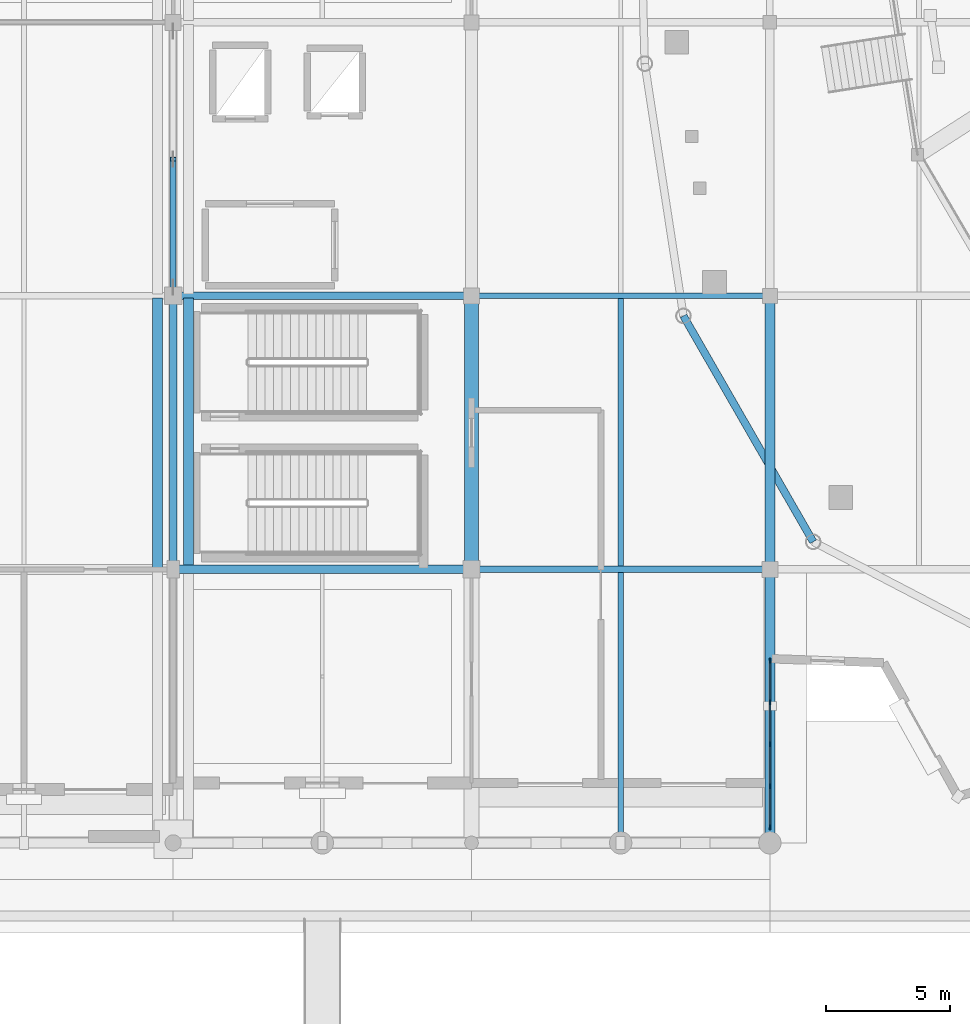
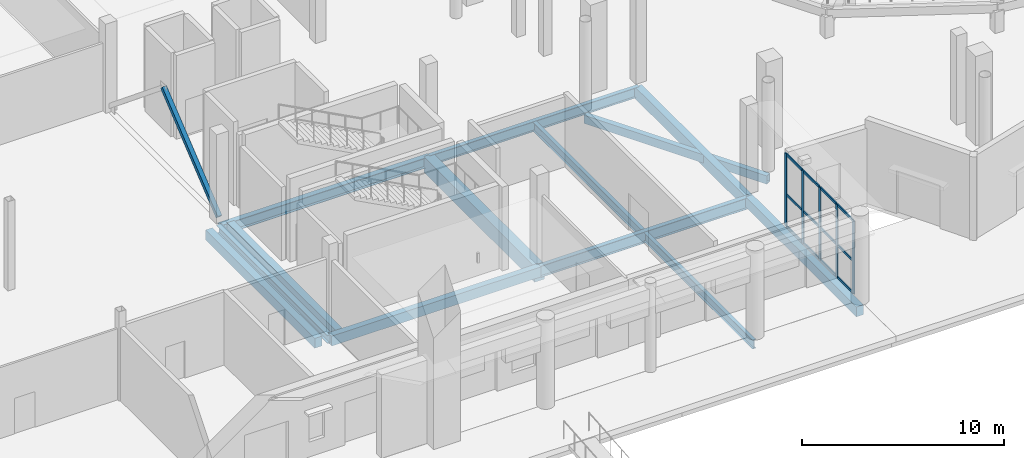
# One storey, part 17 of 120: 18 members, 13 beams, 1 element without a shape of its own.
"""IFC4 building model written with IfcOpenShell, lengths in metres."""

from ifc_helpers import new_model, si_unit, direction, frame, origin, origin_2d, place, context, subcontext, project, spatial, rectangle, hollow_rectangle, i_section, extrude, material, material_profile, profile_set, type_object, element, aggregate, save


model = new_model("IFC4")

# Units and contexts
model_context = context("Model", 3, precision=1e-05, world=origin(), true_north=direction((0.0, 1.0)))
body_context = subcontext(model_context, "Body", "Model", "MODEL_VIEW")
ifc_project = project(units=[si_unit("LENGTHUNIT", "METRE"), si_unit("AREAUNIT", "SQUARE_METRE"), si_unit("VOLUMEUNIT", "CUBIC_METRE"), si_unit("PLANEANGLEUNIT", "RADIAN"), si_unit("MASSUNIT", "GRAM", prefix="KILO")], contexts=[model_context])

# Site, building, storey
site_placement = place(None, origin())
site = spatial("IfcSite", under=ifc_project, at=site_placement, CompositionType="ELEMENT")
building_placement = place(site_placement, origin())
building = spatial("IfcBuilding", under=site, at=building_placement, Name="Luwafu Chhajja Arena", CompositionType="ELEMENT")
storey_placement = place(building_placement, origin())
storey = spatial("IfcBuildingStorey", under=building, at=storey_placement, Name="L00", CompositionType="ELEMENT", Elevation=0.0)

# Beam
ifc_material_1 = material(Name="Concrete C35/45", Category="concrete")
ifc_material_profile_1 = material_profile(ifc_material_1, rectangle(XDim=0.35009765625, YDim=0.60009765625, at=origin_2d()), Name="RC 350x600")
ifc_profile_set_1 = profile_set([ifc_material_profile_1], Name="Concrete C35/45")
beam_type_1 = type_object("IfcBeamType", Name="Arcade Tie Beam RC 350x600", PredefinedType="BEAM", material=ifc_profile_set_1)
beam_1_placement = place(storey_placement, frame((34.0, 11.0, -0.64990234375), z_axis=(1.0, 0.0, 0.0), x_axis=(0.0, 1.0, 0.0)))
element("IfcBeam", 1, at=beam_1_placement, inside=storey, type_object=beam_type_1, Name="L00 Grid Beam 4-5/B", PredefinedType="BEAM", context=body_context, shape_type="SweptSolid", body=[
    extrude(rectangle(XDim=0.35009765625, YDim=0.60009765625, at=origin_2d()), origin(), (0.0, 0.0, 1.0), 12.0),
])

# Curtain wall, members
ifc_material_2 = material(Name="Anodised bronze aluminium", Category="aluminium")
curtain_wall_type = type_object("IfcCurtainWallType", Name="Pavilion Cafe Glazed Curtain Wall", PredefinedType="USERDEFINED", material=ifc_material_2)
curtain_wall_placement = place(storey_placement, origin())
curtain_wall = element("IfcCurtainWall", 2, at=curtain_wall_placement, inside=storey, type_object=curtain_wall_type, Name="L00 Curtain Wall CWG-L00-V05_00", ObjectType="CURTAIN WALL", PredefinedType="USERDEFINED")
ifc_material_profile_2 = material_profile(ifc_material_2, rectangle(XDim=0.06494140625, YDim=0.199951171875, at=origin_2d()), Name="CWM 65x200")
ifc_profile_set_2 = profile_set([ifc_material_profile_2], Name="Anodised bronze aluminium")
member_type_1 = type_object("IfcMemberType", Name="Bronze Curtain Wall Mullion 65x200", PredefinedType="MULLION", material=ifc_profile_set_2)
member_1_placement = place(storey_placement, frame((58.0, 0.62255859375, 0.030029296875), z_axis=(0.0, 0.0, 1.0), x_axis=(-1.0, 0.0, 0.0)))
member_1 = element("IfcMember", 3, at=member_1_placement, type_object=member_type_1, Name="CW-07 mullion 1", PredefinedType="MULLION", context=body_context, shape_type="SweptSolid", body=[
    extrude(rectangle(XDim=0.06494140625, YDim=0.199951171875, at=origin_2d()), origin(), (0.0, 0.0, 1.0), 4.419921875),
])
member_2_placement = place(storey_placement, frame((58.0, 2.279541015625, 0.030029296875), z_axis=(0.0, 0.0, 1.0), x_axis=(-1.0, 0.0, 0.0)))
member_2 = element("IfcMember", 4, at=member_2_placement, type_object=member_type_1, Name="CW-07 mullion 2", PredefinedType="MULLION", context=body_context, shape_type="SweptSolid", body=[
    extrude(rectangle(XDim=0.06494140625, YDim=0.199951171875, at=origin_2d()), origin(), (0.0, 0.0, 1.0), 4.419921875),
])
member_3_placement = place(storey_placement, frame((58.0, 3.96923828125, 0.030029296875), z_axis=(0.0, 0.0, 1.0), x_axis=(-1.0, 0.0, 0.0)))
member_3 = element("IfcMember", 5, at=member_3_placement, type_object=member_type_1, Name="CW-07 mullion 3", PredefinedType="MULLION", context=body_context, shape_type="SweptSolid", body=[
    extrude(rectangle(XDim=0.06494140625, YDim=0.199951171875, at=origin_2d()), origin(), (0.0, 0.0, 1.0), 4.419921875),
])
member_4_placement = place(storey_placement, frame((58.0, 5.65869140625, 0.030029296875), z_axis=(0.0, 0.0, 1.0), x_axis=(-1.0, 0.0, 0.0)))
member_4 = element("IfcMember", 6, at=member_4_placement, type_object=member_type_1, Name="CW-07 mullion 4", PredefinedType="MULLION", context=body_context, shape_type="SweptSolid", body=[
    extrude(rectangle(XDim=0.06494140625, YDim=0.199951171875, at=origin_2d()), origin(), (0.0, 0.0, 1.0), 4.419921875),
])
member_5_placement = place(storey_placement, frame((58.0, 7.31591796875, 0.030029296875), z_axis=(0.0, 0.0, 1.0), x_axis=(-1.0, 0.0, 0.0)))
member_5 = element("IfcMember", 7, at=member_5_placement, type_object=member_type_1, Name="CW-07 mullion 5", PredefinedType="MULLION", context=body_context, shape_type="SweptSolid", body=[
    extrude(rectangle(XDim=0.06494140625, YDim=0.199951171875, at=origin_2d()), origin(), (0.0, 0.0, 1.0), 4.419921875),
])
ifc_material_profile_3 = material_profile(ifc_material_2, rectangle(XDim=0.06494140625, YDim=0.14990234375, at=origin_2d()), Name="CWT 65x150")
ifc_profile_set_3 = profile_set([ifc_material_profile_3], Name="Anodised bronze aluminium")
member_type_2 = type_object("IfcMemberType", Name="Bronze Curtain Wall Transom 65x150", PredefinedType="USERDEFINED", material=ifc_profile_set_3)
member_6_placement = place(storey_placement, frame((58.0, 0.655029296875, 0.0625), z_axis=(0.0, 1.0, 0.0), x_axis=(-1.0, 0.0, 0.0)))
member_6 = element("IfcMember", 8, at=member_6_placement, type_object=member_type_2, Name="CW-07 transom 1.1", ObjectType="TRANSOM", PredefinedType="USERDEFINED", context=body_context, shape_type="SweptSolid", body=[
    extrude(rectangle(XDim=0.06494140625, YDim=0.14990234375, at=origin_2d()), origin(), (0.0, 0.0, 1.0), 1.592041015625),
])
member_7_placement = place(storey_placement, frame((58.0, 0.655029296875, 2.00244140625), z_axis=(0.0, 1.0, 0.0), x_axis=(-1.0, 0.0, 0.0)))
member_7 = element("IfcMember", 9, at=member_7_placement, type_object=member_type_2, Name="CW-07 transom 1.2", ObjectType="TRANSOM", PredefinedType="USERDEFINED", context=body_context, shape_type="SweptSolid", body=[
    extrude(rectangle(XDim=0.06494140625, YDim=0.14990234375, at=origin_2d()), origin(), (0.0, 0.0, 1.0), 1.592041015625),
])
member_8_placement = place(storey_placement, frame((58.0, 0.655029296875, 4.41748046875), z_axis=(0.0, 1.0, 0.0), x_axis=(-1.0, 0.0, 0.0)))
member_8 = element("IfcMember", 10, at=member_8_placement, type_object=member_type_2, Name="CW-07 transom 1.3", ObjectType="TRANSOM", PredefinedType="USERDEFINED", context=body_context, shape_type="SweptSolid", body=[
    extrude(rectangle(XDim=0.06494140625, YDim=0.14990234375, at=origin_2d()), origin(), (0.0, 0.0, 1.0), 1.592041015625),
])
member_9_placement = place(storey_placement, frame((58.0, 2.31201171875, 0.0625), z_axis=(0.0, 1.0, 0.0), x_axis=(-1.0, 0.0, 0.0)))
member_9 = element("IfcMember", 11, at=member_9_placement, type_object=member_type_2, Name="CW-07 transom 2.1", ObjectType="TRANSOM", PredefinedType="USERDEFINED", context=body_context, shape_type="SweptSolid", body=[
    extrude(rectangle(XDim=0.06494140625, YDim=0.14990234375, at=origin_2d()), origin(), (0.0, 0.0, 1.0), 1.624755859375),
])
member_10_placement = place(storey_placement, frame((58.0, 2.31201171875, 2.00244140625), z_axis=(0.0, 1.0, 0.0), x_axis=(-1.0, 0.0, 0.0)))
member_10 = element("IfcMember", 12, at=member_10_placement, type_object=member_type_2, Name="CW-07 transom 2.2", ObjectType="TRANSOM", PredefinedType="USERDEFINED", context=body_context, shape_type="SweptSolid", body=[
    extrude(rectangle(XDim=0.06494140625, YDim=0.14990234375, at=origin_2d()), origin(), (0.0, 0.0, 1.0), 1.624755859375),
])
member_11_placement = place(storey_placement, frame((58.0, 2.31201171875, 4.41748046875), z_axis=(0.0, 1.0, 0.0), x_axis=(-1.0, 0.0, 0.0)))
member_11 = element("IfcMember", 13, at=member_11_placement, type_object=member_type_2, Name="CW-07 transom 2.3", ObjectType="TRANSOM", PredefinedType="USERDEFINED", context=body_context, shape_type="SweptSolid", body=[
    extrude(rectangle(XDim=0.06494140625, YDim=0.14990234375, at=origin_2d()), origin(), (0.0, 0.0, 1.0), 1.624755859375),
])
member_12_placement = place(storey_placement, frame((58.0, 4.001708984375, 0.0625), z_axis=(0.0, 1.0, 0.0), x_axis=(-1.0, 0.0, 0.0)))
member_12 = element("IfcMember", 14, at=member_12_placement, type_object=member_type_2, Name="CW-07 transom 3.1", ObjectType="TRANSOM", PredefinedType="USERDEFINED", context=body_context, shape_type="SweptSolid", body=[
    extrude(rectangle(XDim=0.06494140625, YDim=0.14990234375, at=origin_2d()), origin(), (0.0, 0.0, 1.0), 1.62451171875),
])
member_13_placement = place(storey_placement, frame((58.0, 4.001708984375, 2.00244140625), z_axis=(0.0, 1.0, 0.0), x_axis=(-1.0, 0.0, 0.0)))
member_13 = element("IfcMember", 15, at=member_13_placement, type_object=member_type_2, Name="CW-07 transom 3.2", ObjectType="TRANSOM", PredefinedType="USERDEFINED", context=body_context, shape_type="SweptSolid", body=[
    extrude(rectangle(XDim=0.06494140625, YDim=0.14990234375, at=origin_2d()), origin(), (0.0, 0.0, 1.0), 1.62451171875),
])
member_14_placement = place(storey_placement, frame((58.0, 4.001708984375, 4.41748046875), z_axis=(0.0, 1.0, 0.0), x_axis=(-1.0, 0.0, 0.0)))
member_14 = element("IfcMember", 16, at=member_14_placement, type_object=member_type_2, Name="CW-07 transom 3.3", ObjectType="TRANSOM", PredefinedType="USERDEFINED", context=body_context, shape_type="SweptSolid", body=[
    extrude(rectangle(XDim=0.06494140625, YDim=0.14990234375, at=origin_2d()), origin(), (0.0, 0.0, 1.0), 1.62451171875),
])
member_15_placement = place(storey_placement, frame((58.0, 5.691162109375, 0.0625), z_axis=(0.0, 1.0, 0.0), x_axis=(-1.0, 0.0, 0.0)))
member_15 = element("IfcMember", 17, at=member_15_placement, type_object=member_type_2, Name="CW-07 transom 4.1", ObjectType="TRANSOM", PredefinedType="USERDEFINED", context=body_context, shape_type="SweptSolid", body=[
    extrude(rectangle(XDim=0.06494140625, YDim=0.14990234375, at=origin_2d()), origin(), (0.0, 0.0, 1.0), 1.592041015625),
])
member_16_placement = place(storey_placement, frame((58.0, 5.691162109375, 2.00244140625), z_axis=(0.0, 1.0, 0.0), x_axis=(-1.0, 0.0, 0.0)))
member_16 = element("IfcMember", 18, at=member_16_placement, type_object=member_type_2, Name="CW-07 transom 4.2", ObjectType="TRANSOM", PredefinedType="USERDEFINED", context=body_context, shape_type="SweptSolid", body=[
    extrude(rectangle(XDim=0.06494140625, YDim=0.14990234375, at=origin_2d()), origin(), (0.0, 0.0, 1.0), 1.592041015625),
])
member_17_placement = place(storey_placement, frame((58.0, 5.691162109375, 4.41748046875), z_axis=(0.0, 1.0, 0.0), x_axis=(-1.0, 0.0, 0.0)))
member_17 = element("IfcMember", 19, at=member_17_placement, type_object=member_type_2, Name="CW-07 transom 4.3", ObjectType="TRANSOM", PredefinedType="USERDEFINED", context=body_context, shape_type="SweptSolid", body=[
    extrude(rectangle(XDim=0.06494140625, YDim=0.14990234375, at=origin_2d()), origin(), (0.0, 0.0, 1.0), 1.592041015625),
])
aggregate(curtain_wall, [member_1, member_2, member_3, member_4, member_5, member_6, member_7, member_8, member_9, member_10, member_11, member_12, member_13, member_14, member_15, member_16, member_17])

# Beam
ifc_material_profile_4 = material_profile(ifc_material_1, rectangle(XDim=0.550048828125, YDim=0.949951171875, at=origin_2d()), Name="RC 550x950")
ifc_profile_set_4 = profile_set([ifc_material_profile_4], Name="Concrete C35/45")
beam_type_2 = type_object("IfcBeamType", Name="Concourse Radial Girder RC 550x950", PredefinedType="BEAM", material=ifc_profile_set_4)
beam_2_placement = place(storey_placement, frame((46.0, 11.0, -0.824951171875), z_axis=(0.0, 1.0, 0.0), x_axis=(-1.0, 0.0, 0.0)))
element("IfcBeam", 20, at=beam_2_placement, inside=storey, type_object=beam_type_2, Name="L00 Grid Beam 5/B-C", PredefinedType="BEAM", context=body_context, shape_type="SweptSolid", body=[
    extrude(rectangle(XDim=0.550048828125, YDim=0.949951171875, at=origin_2d()), origin(), (0.0, 0.0, 1.0), 11.0),
])

# Member
ifc_material_3 = material(Name="Steel S355", Category="steel")
ifc_material_profile_5 = material_profile(ifc_material_3, hollow_rectangle(XDim=0.25, YDim=0.25, WallThickness=0.011962890625, at=origin_2d()), Name="SHS 250x250x12")
ifc_profile_set_5 = profile_set([ifc_material_profile_5], Name="Steel S355")
member_type_3 = type_object("IfcMemberType", Name="Core Frame Brace SHS 250", PredefinedType="BRACE", material=ifc_profile_set_5)
member_18_placement = place(storey_placement, frame((34.0, 22.0, 0.1201171875), z_axis=(0.0, 0.773957299203, 0.633237790257), x_axis=(-1.0, 0.0, 0.0)))
element("IfcMember", 21, at=member_18_placement, inside=storey, type_object=member_type_3, Name="L00 Lateral Chevron Brace 02A", PredefinedType="BRACE", context=body_context, shape_type="SweptSolid", body=[
    extrude(hollow_rectangle(XDim=0.25, YDim=0.25, WallThickness=0.011962890625, at=origin_2d()), origin(), (0.0, 0.0, 1.0), 7.1064453125),
])

# Beams
ifc_material_profile_6 = material_profile(ifc_material_3, i_section(OverallWidth=0.2099609375, OverallDepth=0.53662109375, WebThickness=0.0107421875, FlangeThickness=0.017333984375, at=origin_2d()), Name="UB 533x210x101")
ifc_profile_set_6 = profile_set([ifc_material_profile_6], Name="Steel S355")
beam_type_3 = type_object("IfcBeamType", Name="Floor Joist UB 533x210x101", PredefinedType="JOIST", material=ifc_profile_set_6)
beam_3_placement = place(storey_placement, frame((52.0, 0.082763671875, -0.618408203125), z_axis=(0.0, 1.0, 0.0), x_axis=(-1.0, 0.0, 0.0)))
element("IfcBeam", 22, at=beam_3_placement, inside=storey, type_object=beam_type_3, Name="L00 Secondary Joist 5-6/A", PredefinedType="JOIST", context=body_context, shape_type="SweptSolid", body=[
    extrude(i_section(OverallWidth=0.2099609375, OverallDepth=0.53662109375, WebThickness=0.0107421875, FlangeThickness=0.017333984375, at=origin_2d()), origin(), (0.0, 0.0, 1.0), 10.79052734375),
])
ifc_material_profile_7 = material_profile(ifc_material_3, i_section(OverallWidth=0.209228515625, OverallDepth=0.533203125, WebThickness=0.010009765625, FlangeThickness=0.015625, at=origin_2d()), Name="UB 533x210x92")
ifc_profile_set_7 = profile_set([ifc_material_profile_7], Name="Steel S355")
beam_type_4 = type_object("IfcBeamType", Name="Floor Joist UB 533x210x92", PredefinedType="JOIST", material=ifc_profile_set_7)
beam_4_placement = place(storey_placement, frame((52.0, 11.126708984375, -0.616455078125), z_axis=(0.0, 1.0, 0.0), x_axis=(-1.0, 0.0, 0.0)))
element("IfcBeam", 23, at=beam_4_placement, inside=storey, type_object=beam_type_4, Name="L00 Secondary Joist 5-6/B", PredefinedType="JOIST", context=body_context, shape_type="SweptSolid", body=[
    extrude(i_section(OverallWidth=0.209228515625, OverallDepth=0.533203125, WebThickness=0.010009765625, FlangeThickness=0.015625, at=origin_2d()), origin(), (0.0, 0.0, 1.0), 10.7587890625),
])
ifc_material_profile_8 = material_profile(ifc_material_3, hollow_rectangle(XDim=0.300048828125, YDim=0.5, WallThickness=0.02001953125, at=origin_2d()), Name="RHS 500x300x20")
ifc_profile_set_8 = profile_set([ifc_material_profile_8], Name="Steel S355")
beam_type_5 = type_object("IfcBeamType", Name="Pleated Drum Spandrel Beam RHS 500x300", PredefinedType="SPANDREL", material=ifc_profile_set_8)
beam_5_placement = place(storey_placement, frame((54.52392578125, 21.194091796875, -0.60009765625), z_axis=(0.498192671921, -0.867066353657, 0.0), x_axis=(0.867066353657, 0.498192671921, 0.0)))
element("IfcBeam", 24, at=beam_5_placement, inside=storey, type_object=beam_type_5, Name="L00 Drum Ring Spandrel D20-D21", PredefinedType="SPANDREL", context=body_context, shape_type="SweptSolid", body=[
    extrude(hollow_rectangle(XDim=0.300048828125, YDim=0.5, WallThickness=0.02001953125, at=origin_2d()), origin(), (0.0, 0.0, 1.0), 10.477783203125),
])
ifc_material_profile_9 = material_profile(ifc_material_1, rectangle(XDim=0.39990234375, YDim=0.60009765625, at=origin_2d()), Name="RC 400x600")
ifc_profile_set_9 = profile_set([ifc_material_profile_9], Name="Concrete C35/45")
beam_type_6 = type_object("IfcBeamType", Name="Podium Perimeter Spandrel RC 400x600", PredefinedType="SPANDREL", material=ifc_profile_set_9)
beam_6_placement = place(storey_placement, frame((58.0, 0.0, -0.64990234375), z_axis=(0.0, 1.0, 0.0), x_axis=(-1.0, 0.0, 0.0)))
element("IfcBeam", 25, at=beam_6_placement, inside=storey, type_object=beam_type_6, Name="L00 Grid Beam 6/A-B", PredefinedType="SPANDREL", context=body_context, shape_type="SweptSolid", body=[
    extrude(rectangle(XDim=0.39990234375, YDim=0.60009765625, at=origin_2d()), origin(), (0.0, 0.0, 1.0), 11.0),
])
for number, where, z_axis, x_axis, name in (
    (26, (33.3798828125, 11.080078125, -0.64990234375), (0.0, 1.0, 0.0), (-1.0, 0.0, 0.0), "L00 Movement Joint MJ1W Seat Girder 01"),
    (27, (34.6201171875, 11.080078125, -0.64990234375), (0.0, 1.0, 0.0), (-1.0, 0.0, 0.0), "L00 Movement Joint MJ1E Seat Girder 01"),
):
    element("IfcBeam", number, at=place(storey_placement, frame(where, z_axis=z_axis, x_axis=x_axis)), inside=storey, type_object=beam_type_6, Name=name, PredefinedType="SPANDREL", context=body_context, shape_type="SweptSolid", body=[
        extrude(rectangle(XDim=0.39990234375, YDim=0.60009765625, at=origin_2d()), origin(), (0.0, 0.0, 1.0), 10.83984375),
    ])
ifc_material_profile_10 = material_profile(ifc_material_3, i_section(OverallWidth=0.300048828125, OverallDepth=0.5, WebThickness=0.014404296875, FlangeThickness=0.028076171875, at=origin_2d()), Name="HEB 500")
ifc_profile_set_10 = profile_set([ifc_material_profile_10], Name="Steel S355")
beam_type_7 = type_object("IfcBeamType", Name="Steel Atrium Tie Girder HEB 500", PredefinedType="BEAM", material=ifc_profile_set_10)
beam_7_placement = place(storey_placement, frame((34.0, 11.0, -0.60009765625), z_axis=(0.0, 1.0, 0.0), x_axis=(-1.0, 0.0, 0.0)))
element("IfcBeam", 28, at=beam_7_placement, inside=storey, type_object=beam_type_7, Name="L00 Grid Beam 4/B-C", PredefinedType="BEAM", context=body_context, shape_type="SweptSolid", body=[
    extrude(i_section(OverallWidth=0.300048828125, OverallDepth=0.5, WebThickness=0.014404296875, FlangeThickness=0.028076171875, at=origin_2d()), origin(), (0.0, 0.0, 1.0), 11.0),
])
ifc_material_profile_11 = material_profile(ifc_material_3, i_section(OverallWidth=0.253662109375, OverallDepth=0.68359375, WebThickness=0.012451171875, FlangeThickness=0.01904296875, at=origin_2d()), Name="UB 686x254x140")
ifc_profile_set_11 = profile_set([ifc_material_profile_11], Name="Steel S355")
beam_type_8 = type_object("IfcBeamType", Name="Steel Concourse Girder UB 686x254x140", PredefinedType="BEAM", material=ifc_profile_set_11)
beam_8_placement = place(storey_placement, frame((46.0, 11.0, -0.691650390625), z_axis=(1.0, 0.0, 0.0), x_axis=(0.0, 1.0, 0.0)))
element("IfcBeam", 29, at=beam_8_placement, inside=storey, type_object=beam_type_8, Name="L00 Grid Beam 5-6/B", PredefinedType="BEAM", context=body_context, shape_type="SweptSolid", body=[
    extrude(i_section(OverallWidth=0.253662109375, OverallDepth=0.68359375, WebThickness=0.012451171875, FlangeThickness=0.01904296875, at=origin_2d()), origin(), (0.0, 0.0, 1.0), 12.0),
])
ifc_material_profile_12 = material_profile(ifc_material_3, i_section(OverallWidth=0.30712890625, OverallDepth=0.6201171875, WebThickness=0.01416015625, FlangeThickness=0.023681640625, at=origin_2d()), Name="UB 610x305x179")
ifc_profile_set_12 = profile_set([ifc_material_profile_12], Name="Steel S355")
beam_type_9 = type_object("IfcBeamType", Name="Steel Hospitality Girder UB 610x305x179", PredefinedType="BEAM", material=ifc_profile_set_12)
beam_9_placement = place(storey_placement, frame((34.0, 22.0, -0.66015625), z_axis=(1.0, 0.0, 0.0), x_axis=(0.0, 1.0, 0.0)))
element("IfcBeam", 30, at=beam_9_placement, inside=storey, type_object=beam_type_9, Name="L00 Grid Beam 4-5/C", PredefinedType="BEAM", context=body_context, shape_type="SweptSolid", body=[
    extrude(i_section(OverallWidth=0.30712890625, OverallDepth=0.6201171875, WebThickness=0.01416015625, FlangeThickness=0.023681640625, at=origin_2d()), origin(), (0.0, 0.0, 1.0), 12.0),
])
ifc_material_profile_13 = material_profile(ifc_material_3, i_section(OverallWidth=0.22900390625, OverallDepth=0.6123046875, WebThickness=0.011962890625, FlangeThickness=0.01953125, at=origin_2d()), Name="UB 610x229x125")
ifc_profile_set_13 = profile_set([ifc_material_profile_13], Name="Steel S355")
beam_type_10 = type_object("IfcBeamType", Name="Steel Mezzanine Girder UB 610x229x125", PredefinedType="BEAM", material=ifc_profile_set_13)
beam_10_placement = place(storey_placement, frame((46.0, 22.0, -0.656005859375), z_axis=(1.0, 0.0, 0.0), x_axis=(0.0, 1.0, 0.0)))
element("IfcBeam", 31, at=beam_10_placement, inside=storey, type_object=beam_type_10, Name="L00 Grid Beam 5-6/C", PredefinedType="BEAM", context=body_context, shape_type="SweptSolid", body=[
    extrude(i_section(OverallWidth=0.22900390625, OverallDepth=0.6123046875, WebThickness=0.011962890625, FlangeThickness=0.01953125, at=origin_2d()), origin(), (0.0, 0.0, 1.0), 12.0),
])
ifc_material_profile_14 = material_profile(ifc_material_1, rectangle(XDim=0.39990234375, YDim=0.699951171875, at=origin_2d()), Name="RC 400x700")
ifc_profile_set_14 = profile_set([ifc_material_profile_14], Name="Concrete C35/45")
beam_type_11 = type_object("IfcBeamType", Name="Wing Frame Beam RC 400x700", PredefinedType="BEAM", material=ifc_profile_set_14)
beam_11_placement = place(storey_placement, frame((58.0, 11.0, -0.699951171875), z_axis=(0.0, 1.0, 0.0), x_axis=(-1.0, 0.0, 0.0)))
element("IfcBeam", 32, at=beam_11_placement, inside=storey, type_object=beam_type_11, Name="L00 Grid Beam 6/B-C", PredefinedType="BEAM", context=body_context, shape_type="SweptSolid", body=[
    extrude(rectangle(XDim=0.39990234375, YDim=0.699951171875, at=origin_2d()), origin(), (0.0, 0.0, 1.0), 11.0),
])

save(model, "model.ifc")
